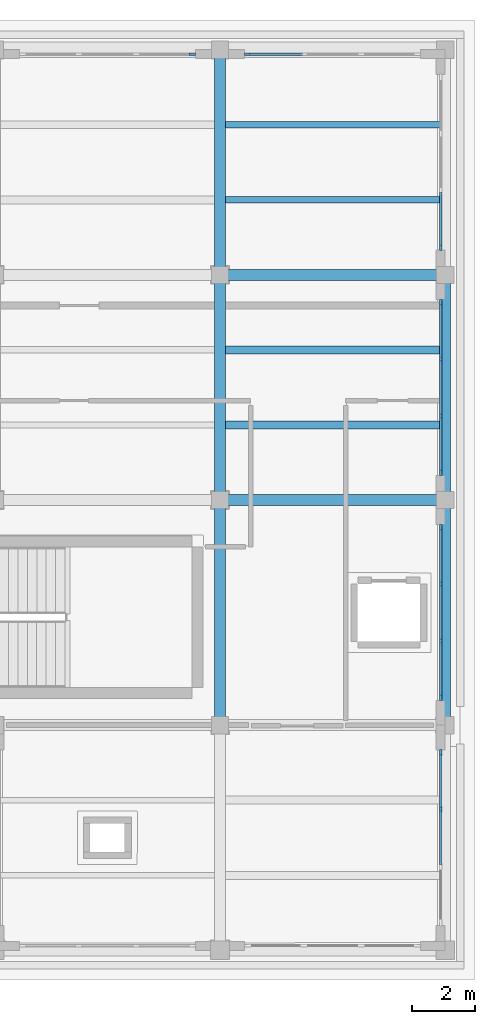
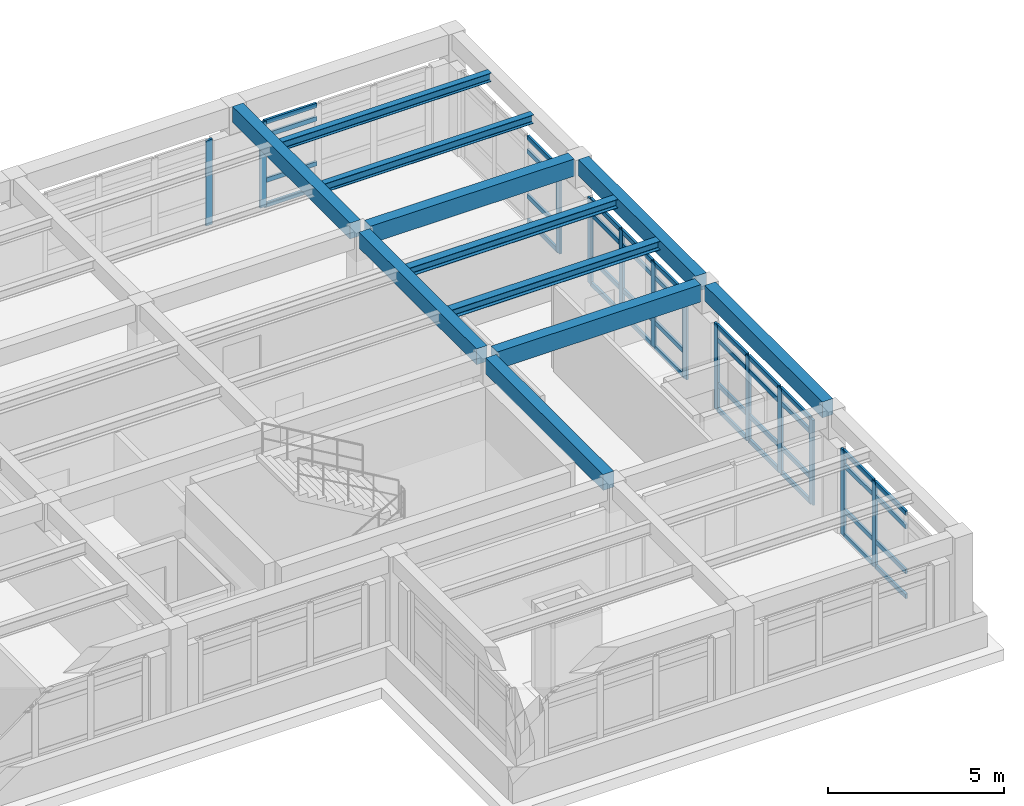
# One storey, part 9 of 21: 53 members, 11 beams, 6 elements without a shape of their own.
"""IFC4 building model written with IfcOpenShell, lengths in metres."""

from ifc_helpers import new_model, si_unit, direction, frame, origin, origin_2d, place, context, subcontext, project, spatial, rectangle, i_section, extrude, material, layer, layer_set, material_profile, profile_set, type_object, element, aggregate, save


model = new_model("IFC4")

# Units and contexts
model_context = context("Model", 3, precision=1e-05, world=origin(), true_north=direction((0.0, 1.0)))
body_context = subcontext(model_context, "Body", "Model", "MODEL_VIEW")
ifc_project = project(units=[si_unit("LENGTHUNIT", "METRE"), si_unit("AREAUNIT", "SQUARE_METRE"), si_unit("VOLUMEUNIT", "CUBIC_METRE"), si_unit("PLANEANGLEUNIT", "RADIAN"), si_unit("MASSUNIT", "GRAM", prefix="KILO")], contexts=[model_context])

# Site, building, storey
site_placement = place(None, origin())
site = spatial("IfcSite", under=ifc_project, at=site_placement, CompositionType="ELEMENT")
building_placement = place(site_placement, origin())
building = spatial("IfcBuilding", under=site, at=building_placement, Name="Solenvale Faculty of Natural Sciences", CompositionType="ELEMENT")
storey_placement = place(building_placement, frame((0.0, 0.0, 31.199951171875)))
storey = spatial("IfcBuildingStorey", under=building, at=storey_placement, Name="L07", CompositionType="ELEMENT", Elevation=31.199951171875)

# Beams
ifc_material_1 = material(Name="Concrete 40 MPa", Category="concrete")
ifc_material_profile_1 = material_profile(ifc_material_1, rectangle(XDim=0.35009765625, YDim=0.550048828125, at=origin_2d()), Name="RC-BM-350x550")
ifc_profile_set_1 = profile_set([ifc_material_profile_1], Name="Concrete 40 MPa")
beam_type_1 = type_object("IfcBeamType", Name="BM-RC-350x550", PredefinedType="BEAM", material=ifc_profile_set_1)
beam_1_placement = place(storey_placement, frame((144.0, 93.85498046875, 3.64501953125), z_axis=(0.0, 1.0, 0.0), x_axis=(-1.0, 0.0, 0.0)))
element("IfcBeam", 1, at=beam_1_placement, inside=storey, type_object=beam_type_1, Name="L07 Y-Girder X144.0 (93.6..100.8)", PredefinedType="BEAM", context=body_context, shape_type="SweptSolid", body=[
    extrude(rectangle(XDim=0.35009765625, YDim=0.550048828125, at=origin_2d()), origin(), (0.0, 0.0, 1.0), 6.68994140625),
])
for number, where, z_axis, x_axis, name in (
    (2, (144.0, 101.054931640625, 3.64501953125), (0.0, 1.0, 0.0), (-1.0, 0.0, 0.0), "L07 Y-Girder X144.0 (100.8..108.0)"),
    (3, (144.0, 108.2548828125, 3.64501953125), (0.0, 1.0, 0.0), (-1.0, 0.0, 0.0), "L07 Y-Girder X144.0 (108.0..115.2)"),
):
    element("IfcBeam", number, at=place(storey_placement, frame(where, z_axis=z_axis, x_axis=x_axis)), inside=storey, type_object=beam_type_1, Name=name, PredefinedType="BEAM", context=body_context, shape_type="SweptSolid", body=[
        extrude(rectangle(XDim=0.35009765625, YDim=0.550048828125, at=origin_2d()), origin(), (0.0, 0.0, 1.0), 6.690185546875),
    ])
beam_2_placement = place(storey_placement, frame((151.199951171875, 93.85498046875, 3.64501953125), z_axis=(0.0, 1.0, 0.0), x_axis=(-1.0, 0.0, 0.0)))
element("IfcBeam", 4, at=beam_2_placement, inside=storey, type_object=beam_type_1, Name="L07 Y-Girder X151.2 (93.6..100.8)", PredefinedType="BEAM", context=body_context, shape_type="SweptSolid", body=[
    extrude(rectangle(XDim=0.35009765625, YDim=0.550048828125, at=origin_2d()), origin(), (0.0, 0.0, 1.0), 6.68994140625),
])
beam_3_placement = place(storey_placement, frame((151.199951171875, 101.054931640625, 3.64501953125), z_axis=(0.0, 1.0, 0.0), x_axis=(-1.0, 0.0, 0.0)))
element("IfcBeam", 5, at=beam_3_placement, inside=storey, type_object=beam_type_1, Name="L07 Y-Girder X151.2 (100.8..108.0)", PredefinedType="BEAM", context=body_context, shape_type="SweptSolid", body=[
    extrude(rectangle(XDim=0.35009765625, YDim=0.550048828125, at=origin_2d()), origin(), (0.0, 0.0, 1.0), 6.690185546875),
])
ifc_material_profile_2 = material_profile(ifc_material_1, rectangle(XDim=0.35009765625, YDim=0.60009765625, at=origin_2d()), Name="RC-BM-350x600")
ifc_profile_set_2 = profile_set([ifc_material_profile_2], Name="Concrete 40 MPa")
beam_type_2 = type_object("IfcBeamType", Name="BM-RC-350x600", PredefinedType="BEAM", material=ifc_profile_set_2)
for number, where, z_axis, x_axis, name in (
    (6, (144.2548828125, 100.800048828125, 3.6201171875), (1.0, 0.0, 0.0), (0.0, 1.0, 0.0), "L07 X-Girder Y100.8 (144.0..151.2)"),
    (7, (144.2548828125, 108.0, 3.6201171875), (1.0, 0.0, 0.0), (0.0, 1.0, 0.0), "L07 X-Girder Y108.0 (144.0..151.2)"),
):
    element("IfcBeam", number, at=place(storey_placement, frame(where, z_axis=z_axis, x_axis=x_axis)), inside=storey, type_object=beam_type_2, Name=name, PredefinedType="BEAM", context=body_context, shape_type="SweptSolid", body=[
        extrude(rectangle(XDim=0.35009765625, YDim=0.60009765625, at=origin_2d()), origin(), (0.0, 0.0, 1.0), 6.690185546875),
    ])
ifc_material_2 = material(Name="Steel S355", Category="steel")
ifc_material_profile_3 = material_profile(ifc_material_2, i_section(OverallWidth=0.202880859375, OverallDepth=0.302978515625, WebThickness=0.007568359375, FlangeThickness=0.01318359375, FilletRadius=0.014892578125, at=origin_2d()), Name="W310x60")
ifc_profile_set_3 = profile_set([ifc_material_profile_3], Name="Steel S355")
beam_type_3 = type_object("IfcBeamType", Name="BM-STL-W310x60", PredefinedType="JOIST", material=ifc_profile_set_3)
for number, where, z_axis, x_axis, name in (
    (8, (144.155029296875, 110.39990234375, 3.7685546875), (1.0, 0.0, 0.0), (0.0, 1.0, 0.0), "L07 Composite Floor Joist (21,16).1"),
    (9, (144.155029296875, 112.800048828125, 3.7685546875), (1.0, 0.0, 0.0), (0.0, 1.0, 0.0), "L07 Composite Floor Joist (21,16).2"),
):
    element("IfcBeam", number, at=place(storey_placement, frame(where, z_axis=z_axis, x_axis=x_axis)), inside=storey, type_object=beam_type_3, Name=name, PredefinedType="JOIST", context=body_context, shape_type="SweptSolid", body=[
        extrude(i_section(OverallWidth=0.202880859375, OverallDepth=0.302978515625, WebThickness=0.007568359375, FlangeThickness=0.01318359375, FilletRadius=0.014892578125, at=origin_2d()), origin(), (0.0, 0.0, 1.0), 6.889892578125),
    ])
ifc_material_profile_4 = material_profile(ifc_material_2, i_section(OverallWidth=0.25390625, OverallDepth=0.305908203125, WebThickness=0.0087890625, FlangeThickness=0.0146484375, FilletRadius=0.014892578125, at=origin_2d()), Name="W310x79")
ifc_profile_set_4 = profile_set([ifc_material_profile_4], Name="Steel S355")
beam_type_4 = type_object("IfcBeamType", Name="BM-STL-W310x79", PredefinedType="JOIST", material=ifc_profile_set_4)
for number, where, z_axis, x_axis, name in (
    (10, (144.155029296875, 103.199951171875, 3.76708984375), (1.0, 0.0, 0.0), (0.0, 1.0, 0.0), "L07 Composite Floor Joist (21,15).1"),
    (11, (144.155029296875, 105.60009765625, 3.76708984375), (1.0, 0.0, 0.0), (0.0, 1.0, 0.0), "L07 Composite Floor Joist (21,15).2"),
):
    element("IfcBeam", number, at=place(storey_placement, frame(where, z_axis=z_axis, x_axis=x_axis)), inside=storey, type_object=beam_type_4, Name=name, PredefinedType="JOIST", context=body_context, shape_type="SweptSolid", body=[
        extrude(i_section(OverallWidth=0.25390625, OverallDepth=0.305908203125, WebThickness=0.0087890625, FlangeThickness=0.0146484375, FilletRadius=0.014892578125, at=origin_2d()), origin(), (0.0, 0.0, 1.0), 6.889892578125),
    ])

# Curtain wall, members
ifc_material_3 = material(Name="Anodised bronze aluminium", Category="aluminium")
ifc_layer = layer(ifc_material_3, 0.179931640625)
ifc_layer_set = layer_set([ifc_layer], Name="Anodised bronze aluminium")
curtain_wall_type = type_object("IfcCurtainWallType", Name="CW-TWR-MOD", PredefinedType="USERDEFINED", material=ifc_layer_set)
curtain_wall_1_placement = place(storey_placement, origin())
curtain_wall_1 = element("IfcCurtainWall", 12, at=curtain_wall_1_placement, inside=storey, type_object=curtain_wall_type, Name="L07 Curtain Wall CW-L07-P1-E1-B1", ObjectType="UNITISED CURTAIN WALL", PredefinedType="USERDEFINED")
ifc_material_profile_5 = material_profile(ifc_material_3, rectangle(XDim=0.074951171875, YDim=0.2099609375, at=origin_2d()), Name="ALU-MUL-75x210")
ifc_profile_set_5 = profile_set([ifc_material_profile_5], Name="Anodised bronze aluminium")
member_type_1 = type_object("IfcMemberType", Name="CWM-ALU-75x210", PredefinedType="MULLION", material=ifc_profile_set_5)
member_1_placement = place(storey_placement, frame((151.0576171875, 94.487548828125, 0.0), z_axis=(0.0, 0.0, 1.0), x_axis=(-1.0, 0.0, 0.0)))
member_1 = element("IfcMember", 13, at=member_1_placement, type_object=member_type_1, Name="CW-04 mullion 1", PredefinedType="MULLION", context=body_context, shape_type="SweptSolid", body=[
    extrude(rectangle(XDim=0.074951171875, YDim=0.2099609375, at=origin_2d()), origin(), (0.0, 0.0, 1.0), 2.9599609375),
])
member_2_placement = place(storey_placement, frame((151.0576171875, 96.283447265625, 0.0), z_axis=(0.0, 0.0, 1.0), x_axis=(-1.0, 0.0, 0.0)))
member_2 = element("IfcMember", 14, at=member_2_placement, type_object=member_type_1, Name="CW-04 mullion 2", PredefinedType="MULLION", context=body_context, shape_type="SweptSolid", body=[
    extrude(rectangle(XDim=0.074951171875, YDim=0.2099609375, at=origin_2d()), origin(), (0.0, 0.0, 1.0), 2.9599609375),
])
member_3_placement = place(storey_placement, frame((151.0576171875, 98.11669921875, 0.0), z_axis=(0.0, 0.0, 1.0), x_axis=(-1.0, 0.0, 0.0)))
member_3 = element("IfcMember", 15, at=member_3_placement, type_object=member_type_1, Name="CW-04 mullion 3", PredefinedType="MULLION", context=body_context, shape_type="SweptSolid", body=[
    extrude(rectangle(XDim=0.074951171875, YDim=0.2099609375, at=origin_2d()), origin(), (0.0, 0.0, 1.0), 2.9599609375),
])
member_4_placement = place(storey_placement, frame((151.0576171875, 99.91259765625, 0.0), z_axis=(0.0, 0.0, 1.0), x_axis=(-1.0, 0.0, 0.0)))
member_4 = element("IfcMember", 16, at=member_4_placement, type_object=member_type_1, Name="CW-04 mullion 4", PredefinedType="MULLION", context=body_context, shape_type="SweptSolid", body=[
    extrude(rectangle(XDim=0.074951171875, YDim=0.2099609375, at=origin_2d()), origin(), (0.0, 0.0, 1.0), 2.9599609375),
])

curtain_wall_2_placement = place(storey_placement, origin())
curtain_wall_2 = element("IfcCurtainWall", 17, at=curtain_wall_2_placement, inside=storey, type_object=curtain_wall_type, Name="L07 Curtain Wall CW-L07-P1-E1-B2", ObjectType="UNITISED CURTAIN WALL", PredefinedType="USERDEFINED")
member_5_placement = place(storey_placement, frame((151.0576171875, 101.6875, 0.0), z_axis=(0.0, 0.0, 1.0), x_axis=(-1.0, 0.0, 0.0)))
member_5 = element("IfcMember", 18, at=member_5_placement, type_object=member_type_1, Name="CW-04 mullion 1", PredefinedType="MULLION", context=body_context, shape_type="SweptSolid", body=[
    extrude(rectangle(XDim=0.074951171875, YDim=0.2099609375, at=origin_2d()), origin(), (0.0, 0.0, 1.0), 2.9599609375),
])
member_6_placement = place(storey_placement, frame((151.0576171875, 103.4833984375, 0.0), z_axis=(0.0, 0.0, 1.0), x_axis=(-1.0, 0.0, 0.0)))
member_6 = element("IfcMember", 19, at=member_6_placement, type_object=member_type_1, Name="CW-04 mullion 2", PredefinedType="MULLION", context=body_context, shape_type="SweptSolid", body=[
    extrude(rectangle(XDim=0.074951171875, YDim=0.2099609375, at=origin_2d()), origin(), (0.0, 0.0, 1.0), 2.9599609375),
])
member_7_placement = place(storey_placement, frame((151.0576171875, 105.316650390625, 0.0), z_axis=(0.0, 0.0, 1.0), x_axis=(-1.0, 0.0, 0.0)))
member_7 = element("IfcMember", 20, at=member_7_placement, type_object=member_type_1, Name="CW-04 mullion 3", PredefinedType="MULLION", context=body_context, shape_type="SweptSolid", body=[
    extrude(rectangle(XDim=0.074951171875, YDim=0.2099609375, at=origin_2d()), origin(), (0.0, 0.0, 1.0), 2.9599609375),
])
member_8_placement = place(storey_placement, frame((151.0576171875, 107.112548828125, 0.0), z_axis=(0.0, 0.0, 1.0), x_axis=(-1.0, 0.0, 0.0)))
member_8 = element("IfcMember", 21, at=member_8_placement, type_object=member_type_1, Name="CW-04 mullion 4", PredefinedType="MULLION", context=body_context, shape_type="SweptSolid", body=[
    extrude(rectangle(XDim=0.074951171875, YDim=0.2099609375, at=origin_2d()), origin(), (0.0, 0.0, 1.0), 2.9599609375),
])

# Curtain wall, member
curtain_wall_3_placement = place(storey_placement, origin())
curtain_wall_3 = element("IfcCurtainWall", 22, at=curtain_wall_3_placement, inside=storey, type_object=curtain_wall_type, Name="L07 Curtain Wall CW-L07-P1-E1-B3", ObjectType="UNITISED CURTAIN WALL", PredefinedType="USERDEFINED")
member_9_placement = place(storey_placement, frame((151.0576171875, 108.887451171875, 0.0), z_axis=(0.0, 0.0, 1.0), x_axis=(-1.0, 0.0, 0.0)))
member_9 = element("IfcMember", 23, at=member_9_placement, type_object=member_type_1, Name="CW-04 mullion 1", PredefinedType="MULLION", context=body_context, shape_type="SweptSolid", body=[
    extrude(rectangle(XDim=0.074951171875, YDim=0.2099609375, at=origin_2d()), origin(), (0.0, 0.0, 1.0), 2.9599609375),
])

curtain_wall_4_placement = place(storey_placement, origin())
curtain_wall_4 = element("IfcCurtainWall", 24, at=curtain_wall_4_placement, inside=storey, type_object=curtain_wall_type, Name="L07 Curtain Wall CW-L07-P1-E2-B1", ObjectType="UNITISED CURTAIN WALL", PredefinedType="USERDEFINED")
member_10_placement = place(storey_placement, frame((144.887451171875, 115.0576171875, 0.0), z_axis=(0.0, 0.0, 1.0), x_axis=(0.0, -1.0, 0.0)))
member_10 = element("IfcMember", 25, at=member_10_placement, type_object=member_type_1, Name="CW-04 mullion 4", PredefinedType="MULLION", context=body_context, shape_type="SweptSolid", body=[
    extrude(rectangle(XDim=0.074951171875, YDim=0.2099609375, at=origin_2d()), origin(), (0.0, 0.0, 1.0), 2.9599609375),
])

curtain_wall_5_placement = place(storey_placement, origin())
curtain_wall_5 = element("IfcCurtainWall", 26, at=curtain_wall_5_placement, inside=storey, type_object=curtain_wall_type, Name="L07 Curtain Wall CW-L07-P1-E2-B2", ObjectType="UNITISED CURTAIN WALL", PredefinedType="USERDEFINED")
member_11_placement = place(storey_placement, frame((143.112548828125, 115.0576171875, 0.0), z_axis=(0.0, 0.0, 1.0), x_axis=(0.0, -1.0, 0.0)))
member_11 = element("IfcMember", 27, at=member_11_placement, type_object=member_type_1, Name="CW-04 mullion 1", PredefinedType="MULLION", context=body_context, shape_type="SweptSolid", body=[
    extrude(rectangle(XDim=0.074951171875, YDim=0.2099609375, at=origin_2d()), origin(), (0.0, 0.0, 1.0), 2.9599609375),
])
aggregate(curtain_wall_5, [member_11])

# Curtain wall, members
curtain_wall_6_placement = place(storey_placement, origin())
curtain_wall_6 = element("IfcCurtainWall", 28, at=curtain_wall_6_placement, inside=storey, type_object=curtain_wall_type, Name="L07 Curtain Wall CW-L07-P1-E7-B1", ObjectType="UNITISED CURTAIN WALL", PredefinedType="USERDEFINED")
member_12_placement = place(storey_placement, frame((151.0576171875, 90.916748046875, 0.0), z_axis=(0.0, 0.0, 1.0), x_axis=(-1.0, 0.0, 0.0)))
member_12 = element("IfcMember", 29, at=member_12_placement, type_object=member_type_1, Name="CW-04 mullion 3", PredefinedType="MULLION", context=body_context, shape_type="SweptSolid", body=[
    extrude(rectangle(XDim=0.074951171875, YDim=0.2099609375, at=origin_2d()), origin(), (0.0, 0.0, 1.0), 2.9599609375),
])
member_13_placement = place(storey_placement, frame((151.0576171875, 92.71240234375, 0.0), z_axis=(0.0, 0.0, 1.0), x_axis=(-1.0, 0.0, 0.0)))
member_13 = element("IfcMember", 30, at=member_13_placement, type_object=member_type_1, Name="CW-04 mullion 4", PredefinedType="MULLION", context=body_context, shape_type="SweptSolid", body=[
    extrude(rectangle(XDim=0.074951171875, YDim=0.2099609375, at=origin_2d()), origin(), (0.0, 0.0, 1.0), 2.9599609375),
])

# Member
ifc_material_profile_6 = material_profile(ifc_material_3, rectangle(XDim=0.074951171875, YDim=0.155029296875, at=origin_2d()), Name="ALU-TRN-75x155")
ifc_profile_set_6 = profile_set([ifc_material_profile_6], Name="Anodised bronze aluminium")
member_type_2 = type_object("IfcMemberType", Name="CWT-ALU-75x155", PredefinedType="USERDEFINED", material=ifc_profile_set_6)
member_14_placement = place(storey_placement, frame((151.0576171875, 94.52490234375, 0.03759765625), z_axis=(0.0, 1.0, 0.0), x_axis=(-1.0, 0.0, 0.0)))
member_14 = element("IfcMember", 31, at=member_14_placement, type_object=member_type_2, Name="CW-04 transom 1.1", ObjectType="TRANSOM", PredefinedType="USERDEFINED", context=body_context, shape_type="SweptSolid", body=[
    extrude(rectangle(XDim=0.074951171875, YDim=0.155029296875, at=origin_2d()), origin(), (0.0, 0.0, 1.0), 1.720947265625),
])

member_15_placement = place(storey_placement, frame((151.0576171875, 94.52490234375, 0.900146484375), z_axis=(0.0, 1.0, 0.0), x_axis=(-1.0, 0.0, 0.0)))
member_15 = element("IfcMember", 32, at=member_15_placement, type_object=member_type_2, Name="CW-04 transom 1.2", ObjectType="TRANSOM", PredefinedType="USERDEFINED", context=body_context, shape_type="SweptSolid", body=[
    extrude(rectangle(XDim=0.074951171875, YDim=0.155029296875, at=origin_2d()), origin(), (0.0, 0.0, 1.0), 1.720947265625),
])

member_16_placement = place(storey_placement, frame((151.0576171875, 94.52490234375, 2.4599609375), z_axis=(0.0, 1.0, 0.0), x_axis=(-1.0, 0.0, 0.0)))
member_16 = element("IfcMember", 33, at=member_16_placement, type_object=member_type_2, Name="CW-04 transom 1.3", ObjectType="TRANSOM", PredefinedType="USERDEFINED", context=body_context, shape_type="SweptSolid", body=[
    extrude(rectangle(XDim=0.074951171875, YDim=0.155029296875, at=origin_2d()), origin(), (0.0, 0.0, 1.0), 1.720947265625),
])

member_17_placement = place(storey_placement, frame((151.0576171875, 94.52490234375, 2.922607421875), z_axis=(0.0, 1.0, 0.0), x_axis=(-1.0, 0.0, 0.0)))
member_17 = element("IfcMember", 34, at=member_17_placement, type_object=member_type_2, Name="CW-04 transom 1.4", ObjectType="TRANSOM", PredefinedType="USERDEFINED", context=body_context, shape_type="SweptSolid", body=[
    extrude(rectangle(XDim=0.074951171875, YDim=0.155029296875, at=origin_2d()), origin(), (0.0, 0.0, 1.0), 1.720947265625),
])

member_18_placement = place(storey_placement, frame((151.0576171875, 96.32080078125, 0.03759765625), z_axis=(0.0, 1.0, 0.0), x_axis=(-1.0, 0.0, 0.0)))
member_18 = element("IfcMember", 35, at=member_18_placement, type_object=member_type_2, Name="CW-04 transom 2.1", ObjectType="TRANSOM", PredefinedType="USERDEFINED", context=body_context, shape_type="SweptSolid", body=[
    extrude(rectangle(XDim=0.074951171875, YDim=0.155029296875, at=origin_2d()), origin(), (0.0, 0.0, 1.0), 1.75830078125),
])

member_19_placement = place(storey_placement, frame((151.0576171875, 96.32080078125, 0.900146484375), z_axis=(0.0, 1.0, 0.0), x_axis=(-1.0, 0.0, 0.0)))
member_19 = element("IfcMember", 36, at=member_19_placement, type_object=member_type_2, Name="CW-04 transom 2.2", ObjectType="TRANSOM", PredefinedType="USERDEFINED", context=body_context, shape_type="SweptSolid", body=[
    extrude(rectangle(XDim=0.074951171875, YDim=0.155029296875, at=origin_2d()), origin(), (0.0, 0.0, 1.0), 1.75830078125),
])

member_20_placement = place(storey_placement, frame((151.0576171875, 96.32080078125, 2.4599609375), z_axis=(0.0, 1.0, 0.0), x_axis=(-1.0, 0.0, 0.0)))
member_20 = element("IfcMember", 37, at=member_20_placement, type_object=member_type_2, Name="CW-04 transom 2.3", ObjectType="TRANSOM", PredefinedType="USERDEFINED", context=body_context, shape_type="SweptSolid", body=[
    extrude(rectangle(XDim=0.074951171875, YDim=0.155029296875, at=origin_2d()), origin(), (0.0, 0.0, 1.0), 1.75830078125),
])

member_21_placement = place(storey_placement, frame((151.0576171875, 96.32080078125, 2.922607421875), z_axis=(0.0, 1.0, 0.0), x_axis=(-1.0, 0.0, 0.0)))
member_21 = element("IfcMember", 38, at=member_21_placement, type_object=member_type_2, Name="CW-04 transom 2.4", ObjectType="TRANSOM", PredefinedType="USERDEFINED", context=body_context, shape_type="SweptSolid", body=[
    extrude(rectangle(XDim=0.074951171875, YDim=0.155029296875, at=origin_2d()), origin(), (0.0, 0.0, 1.0), 1.75830078125),
])

member_22_placement = place(storey_placement, frame((151.0576171875, 98.154052734375, 0.03759765625), z_axis=(0.0, 1.0, 0.0), x_axis=(-1.0, 0.0, 0.0)))
member_22 = element("IfcMember", 39, at=member_22_placement, type_object=member_type_2, Name="CW-04 transom 3.1", ObjectType="TRANSOM", PredefinedType="USERDEFINED", context=body_context, shape_type="SweptSolid", body=[
    extrude(rectangle(XDim=0.074951171875, YDim=0.155029296875, at=origin_2d()), origin(), (0.0, 0.0, 1.0), 1.720947265625),
])

member_23_placement = place(storey_placement, frame((151.0576171875, 98.154052734375, 0.900146484375), z_axis=(0.0, 1.0, 0.0), x_axis=(-1.0, 0.0, 0.0)))
member_23 = element("IfcMember", 40, at=member_23_placement, type_object=member_type_2, Name="CW-04 transom 3.2", ObjectType="TRANSOM", PredefinedType="USERDEFINED", context=body_context, shape_type="SweptSolid", body=[
    extrude(rectangle(XDim=0.074951171875, YDim=0.155029296875, at=origin_2d()), origin(), (0.0, 0.0, 1.0), 1.720947265625),
])

member_24_placement = place(storey_placement, frame((151.0576171875, 98.154052734375, 2.4599609375), z_axis=(0.0, 1.0, 0.0), x_axis=(-1.0, 0.0, 0.0)))
member_24 = element("IfcMember", 41, at=member_24_placement, type_object=member_type_2, Name="CW-04 transom 3.3", ObjectType="TRANSOM", PredefinedType="USERDEFINED", context=body_context, shape_type="SweptSolid", body=[
    extrude(rectangle(XDim=0.074951171875, YDim=0.155029296875, at=origin_2d()), origin(), (0.0, 0.0, 1.0), 1.720947265625),
])

member_25_placement = place(storey_placement, frame((151.0576171875, 98.154052734375, 2.922607421875), z_axis=(0.0, 1.0, 0.0), x_axis=(-1.0, 0.0, 0.0)))
member_25 = element("IfcMember", 42, at=member_25_placement, type_object=member_type_2, Name="CW-04 transom 3.4", ObjectType="TRANSOM", PredefinedType="USERDEFINED", context=body_context, shape_type="SweptSolid", body=[
    extrude(rectangle(XDim=0.074951171875, YDim=0.155029296875, at=origin_2d()), origin(), (0.0, 0.0, 1.0), 1.720947265625),
])

aggregate(curtain_wall_1, [member_1, member_2, member_3, member_4, member_14, member_15, member_16, member_17, member_18, member_19, member_20, member_21, member_22, member_23, member_24, member_25])

member_26_placement = place(storey_placement, frame((151.0576171875, 101.72509765625, 0.03759765625), z_axis=(0.0, 1.0, 0.0), x_axis=(-1.0, 0.0, 0.0)))
member_26 = element("IfcMember", 43, at=member_26_placement, type_object=member_type_2, Name="CW-04 transom 1.1", ObjectType="TRANSOM", PredefinedType="USERDEFINED", context=body_context, shape_type="SweptSolid", body=[
    extrude(rectangle(XDim=0.074951171875, YDim=0.155029296875, at=origin_2d()), origin(), (0.0, 0.0, 1.0), 1.720703125),
])

member_27_placement = place(storey_placement, frame((151.0576171875, 101.72509765625, 0.900146484375), z_axis=(0.0, 1.0, 0.0), x_axis=(-1.0, 0.0, 0.0)))
member_27 = element("IfcMember", 44, at=member_27_placement, type_object=member_type_2, Name="CW-04 transom 1.2", ObjectType="TRANSOM", PredefinedType="USERDEFINED", context=body_context, shape_type="SweptSolid", body=[
    extrude(rectangle(XDim=0.074951171875, YDim=0.155029296875, at=origin_2d()), origin(), (0.0, 0.0, 1.0), 1.720703125),
])

member_28_placement = place(storey_placement, frame((151.0576171875, 101.72509765625, 2.4599609375), z_axis=(0.0, 1.0, 0.0), x_axis=(-1.0, 0.0, 0.0)))
member_28 = element("IfcMember", 45, at=member_28_placement, type_object=member_type_2, Name="CW-04 transom 1.3", ObjectType="TRANSOM", PredefinedType="USERDEFINED", context=body_context, shape_type="SweptSolid", body=[
    extrude(rectangle(XDim=0.074951171875, YDim=0.155029296875, at=origin_2d()), origin(), (0.0, 0.0, 1.0), 1.720703125),
])

member_29_placement = place(storey_placement, frame((151.0576171875, 101.72509765625, 2.922607421875), z_axis=(0.0, 1.0, 0.0), x_axis=(-1.0, 0.0, 0.0)))
member_29 = element("IfcMember", 46, at=member_29_placement, type_object=member_type_2, Name="CW-04 transom 1.4", ObjectType="TRANSOM", PredefinedType="USERDEFINED", context=body_context, shape_type="SweptSolid", body=[
    extrude(rectangle(XDim=0.074951171875, YDim=0.155029296875, at=origin_2d()), origin(), (0.0, 0.0, 1.0), 1.720703125),
])

member_30_placement = place(storey_placement, frame((151.0576171875, 103.520751953125, 0.03759765625), z_axis=(0.0, 1.0, 0.0), x_axis=(-1.0, 0.0, 0.0)))
member_30 = element("IfcMember", 47, at=member_30_placement, type_object=member_type_2, Name="CW-04 transom 2.1", ObjectType="TRANSOM", PredefinedType="USERDEFINED", context=body_context, shape_type="SweptSolid", body=[
    extrude(rectangle(XDim=0.074951171875, YDim=0.155029296875, at=origin_2d()), origin(), (0.0, 0.0, 1.0), 1.75830078125),
])

member_31_placement = place(storey_placement, frame((151.0576171875, 103.520751953125, 0.900146484375), z_axis=(0.0, 1.0, 0.0), x_axis=(-1.0, 0.0, 0.0)))
member_31 = element("IfcMember", 48, at=member_31_placement, type_object=member_type_2, Name="CW-04 transom 2.2", ObjectType="TRANSOM", PredefinedType="USERDEFINED", context=body_context, shape_type="SweptSolid", body=[
    extrude(rectangle(XDim=0.074951171875, YDim=0.155029296875, at=origin_2d()), origin(), (0.0, 0.0, 1.0), 1.75830078125),
])

member_32_placement = place(storey_placement, frame((151.0576171875, 103.520751953125, 2.4599609375), z_axis=(0.0, 1.0, 0.0), x_axis=(-1.0, 0.0, 0.0)))
member_32 = element("IfcMember", 49, at=member_32_placement, type_object=member_type_2, Name="CW-04 transom 2.3", ObjectType="TRANSOM", PredefinedType="USERDEFINED", context=body_context, shape_type="SweptSolid", body=[
    extrude(rectangle(XDim=0.074951171875, YDim=0.155029296875, at=origin_2d()), origin(), (0.0, 0.0, 1.0), 1.75830078125),
])

member_33_placement = place(storey_placement, frame((151.0576171875, 103.520751953125, 2.922607421875), z_axis=(0.0, 1.0, 0.0), x_axis=(-1.0, 0.0, 0.0)))
member_33 = element("IfcMember", 50, at=member_33_placement, type_object=member_type_2, Name="CW-04 transom 2.4", ObjectType="TRANSOM", PredefinedType="USERDEFINED", context=body_context, shape_type="SweptSolid", body=[
    extrude(rectangle(XDim=0.074951171875, YDim=0.155029296875, at=origin_2d()), origin(), (0.0, 0.0, 1.0), 1.75830078125),
])

member_34_placement = place(storey_placement, frame((151.0576171875, 105.354248046875, 0.03759765625), z_axis=(0.0, 1.0, 0.0), x_axis=(-1.0, 0.0, 0.0)))
member_34 = element("IfcMember", 51, at=member_34_placement, type_object=member_type_2, Name="CW-04 transom 3.1", ObjectType="TRANSOM", PredefinedType="USERDEFINED", context=body_context, shape_type="SweptSolid", body=[
    extrude(rectangle(XDim=0.074951171875, YDim=0.155029296875, at=origin_2d()), origin(), (0.0, 0.0, 1.0), 1.720703125),
])

member_35_placement = place(storey_placement, frame((151.0576171875, 105.354248046875, 0.900146484375), z_axis=(0.0, 1.0, 0.0), x_axis=(-1.0, 0.0, 0.0)))
member_35 = element("IfcMember", 52, at=member_35_placement, type_object=member_type_2, Name="CW-04 transom 3.2", ObjectType="TRANSOM", PredefinedType="USERDEFINED", context=body_context, shape_type="SweptSolid", body=[
    extrude(rectangle(XDim=0.074951171875, YDim=0.155029296875, at=origin_2d()), origin(), (0.0, 0.0, 1.0), 1.720703125),
])

member_36_placement = place(storey_placement, frame((151.0576171875, 105.354248046875, 2.4599609375), z_axis=(0.0, 1.0, 0.0), x_axis=(-1.0, 0.0, 0.0)))
member_36 = element("IfcMember", 53, at=member_36_placement, type_object=member_type_2, Name="CW-04 transom 3.3", ObjectType="TRANSOM", PredefinedType="USERDEFINED", context=body_context, shape_type="SweptSolid", body=[
    extrude(rectangle(XDim=0.074951171875, YDim=0.155029296875, at=origin_2d()), origin(), (0.0, 0.0, 1.0), 1.720703125),
])

member_37_placement = place(storey_placement, frame((151.0576171875, 105.354248046875, 2.922607421875), z_axis=(0.0, 1.0, 0.0), x_axis=(-1.0, 0.0, 0.0)))
member_37 = element("IfcMember", 54, at=member_37_placement, type_object=member_type_2, Name="CW-04 transom 3.4", ObjectType="TRANSOM", PredefinedType="USERDEFINED", context=body_context, shape_type="SweptSolid", body=[
    extrude(rectangle(XDim=0.074951171875, YDim=0.155029296875, at=origin_2d()), origin(), (0.0, 0.0, 1.0), 1.720703125),
])

aggregate(curtain_wall_2, [member_5, member_6, member_7, member_8, member_26, member_27, member_28, member_29, member_30, member_31, member_32, member_33, member_34, member_35, member_36, member_37])

member_38_placement = place(storey_placement, frame((151.0576171875, 108.925048828125, 0.03759765625), z_axis=(0.0, 1.0, 0.0), x_axis=(-1.0, 0.0, 0.0)))
member_38 = element("IfcMember", 55, at=member_38_placement, type_object=member_type_2, Name="CW-04 transom 1.1", ObjectType="TRANSOM", PredefinedType="USERDEFINED", context=body_context, shape_type="SweptSolid", body=[
    extrude(rectangle(XDim=0.074951171875, YDim=0.155029296875, at=origin_2d()), origin(), (0.0, 0.0, 1.0), 1.720703125),
])

member_39_placement = place(storey_placement, frame((151.0576171875, 108.925048828125, 0.900146484375), z_axis=(0.0, 1.0, 0.0), x_axis=(-1.0, 0.0, 0.0)))
member_39 = element("IfcMember", 56, at=member_39_placement, type_object=member_type_2, Name="CW-04 transom 1.2", ObjectType="TRANSOM", PredefinedType="USERDEFINED", context=body_context, shape_type="SweptSolid", body=[
    extrude(rectangle(XDim=0.074951171875, YDim=0.155029296875, at=origin_2d()), origin(), (0.0, 0.0, 1.0), 1.720703125),
])

member_40_placement = place(storey_placement, frame((151.0576171875, 108.925048828125, 2.4599609375), z_axis=(0.0, 1.0, 0.0), x_axis=(-1.0, 0.0, 0.0)))
member_40 = element("IfcMember", 57, at=member_40_placement, type_object=member_type_2, Name="CW-04 transom 1.3", ObjectType="TRANSOM", PredefinedType="USERDEFINED", context=body_context, shape_type="SweptSolid", body=[
    extrude(rectangle(XDim=0.074951171875, YDim=0.155029296875, at=origin_2d()), origin(), (0.0, 0.0, 1.0), 1.720703125),
])

member_41_placement = place(storey_placement, frame((151.0576171875, 108.925048828125, 2.922607421875), z_axis=(0.0, 1.0, 0.0), x_axis=(-1.0, 0.0, 0.0)))
member_41 = element("IfcMember", 58, at=member_41_placement, type_object=member_type_2, Name="CW-04 transom 1.4", ObjectType="TRANSOM", PredefinedType="USERDEFINED", context=body_context, shape_type="SweptSolid", body=[
    extrude(rectangle(XDim=0.074951171875, YDim=0.155029296875, at=origin_2d()), origin(), (0.0, 0.0, 1.0), 1.720703125),
])

aggregate(curtain_wall_3, [member_9, member_38, member_39, member_40, member_41])

member_42_placement = place(storey_placement, frame((146.645751953125, 115.0576171875, 0.03759765625), z_axis=(-1.0, 0.0, 0.0), x_axis=(0.0, -1.0, 0.0)))
member_42 = element("IfcMember", 59, at=member_42_placement, type_object=member_type_2, Name="CW-04 transom 3.1", ObjectType="TRANSOM", PredefinedType="USERDEFINED", context=body_context, shape_type="SweptSolid", body=[
    extrude(rectangle(XDim=0.074951171875, YDim=0.155029296875, at=origin_2d()), origin(), (0.0, 0.0, 1.0), 1.720703125),
])

member_43_placement = place(storey_placement, frame((146.645751953125, 115.0576171875, 0.900146484375), z_axis=(-1.0, 0.0, 0.0), x_axis=(0.0, -1.0, 0.0)))
member_43 = element("IfcMember", 60, at=member_43_placement, type_object=member_type_2, Name="CW-04 transom 3.2", ObjectType="TRANSOM", PredefinedType="USERDEFINED", context=body_context, shape_type="SweptSolid", body=[
    extrude(rectangle(XDim=0.074951171875, YDim=0.155029296875, at=origin_2d()), origin(), (0.0, 0.0, 1.0), 1.720703125),
])

member_44_placement = place(storey_placement, frame((146.645751953125, 115.0576171875, 2.4599609375), z_axis=(-1.0, 0.0, 0.0), x_axis=(0.0, -1.0, 0.0)))
member_44 = element("IfcMember", 61, at=member_44_placement, type_object=member_type_2, Name="CW-04 transom 3.3", ObjectType="TRANSOM", PredefinedType="USERDEFINED", context=body_context, shape_type="SweptSolid", body=[
    extrude(rectangle(XDim=0.074951171875, YDim=0.155029296875, at=origin_2d()), origin(), (0.0, 0.0, 1.0), 1.720703125),
])

member_45_placement = place(storey_placement, frame((146.645751953125, 115.0576171875, 2.922607421875), z_axis=(-1.0, 0.0, 0.0), x_axis=(0.0, -1.0, 0.0)))
member_45 = element("IfcMember", 62, at=member_45_placement, type_object=member_type_2, Name="CW-04 transom 3.4", ObjectType="TRANSOM", PredefinedType="USERDEFINED", context=body_context, shape_type="SweptSolid", body=[
    extrude(rectangle(XDim=0.074951171875, YDim=0.155029296875, at=origin_2d()), origin(), (0.0, 0.0, 1.0), 1.720703125),
])

aggregate(curtain_wall_4, [member_10, member_42, member_43, member_44, member_45])

member_46_placement = place(storey_placement, frame((151.0576171875, 89.120849609375, 0.03759765625), z_axis=(0.0, 1.0, 0.0), x_axis=(-1.0, 0.0, 0.0)))
member_46 = element("IfcMember", 63, at=member_46_placement, type_object=member_type_2, Name="CW-04 transom 2.1", ObjectType="TRANSOM", PredefinedType="USERDEFINED", context=body_context, shape_type="SweptSolid", body=[
    extrude(rectangle(XDim=0.074951171875, YDim=0.155029296875, at=origin_2d()), origin(), (0.0, 0.0, 1.0), 1.75830078125),
])

member_47_placement = place(storey_placement, frame((151.0576171875, 89.120849609375, 0.900146484375), z_axis=(0.0, 1.0, 0.0), x_axis=(-1.0, 0.0, 0.0)))
member_47 = element("IfcMember", 64, at=member_47_placement, type_object=member_type_2, Name="CW-04 transom 2.2", ObjectType="TRANSOM", PredefinedType="USERDEFINED", context=body_context, shape_type="SweptSolid", body=[
    extrude(rectangle(XDim=0.074951171875, YDim=0.155029296875, at=origin_2d()), origin(), (0.0, 0.0, 1.0), 1.75830078125),
])

member_48_placement = place(storey_placement, frame((151.0576171875, 89.120849609375, 2.4599609375), z_axis=(0.0, 1.0, 0.0), x_axis=(-1.0, 0.0, 0.0)))
member_48 = element("IfcMember", 65, at=member_48_placement, type_object=member_type_2, Name="CW-04 transom 2.3", ObjectType="TRANSOM", PredefinedType="USERDEFINED", context=body_context, shape_type="SweptSolid", body=[
    extrude(rectangle(XDim=0.074951171875, YDim=0.155029296875, at=origin_2d()), origin(), (0.0, 0.0, 1.0), 1.75830078125),
])

member_49_placement = place(storey_placement, frame((151.0576171875, 89.120849609375, 2.922607421875), z_axis=(0.0, 1.0, 0.0), x_axis=(-1.0, 0.0, 0.0)))
member_49 = element("IfcMember", 66, at=member_49_placement, type_object=member_type_2, Name="CW-04 transom 2.4", ObjectType="TRANSOM", PredefinedType="USERDEFINED", context=body_context, shape_type="SweptSolid", body=[
    extrude(rectangle(XDim=0.074951171875, YDim=0.155029296875, at=origin_2d()), origin(), (0.0, 0.0, 1.0), 1.75830078125),
])

member_50_placement = place(storey_placement, frame((151.0576171875, 90.9541015625, 0.03759765625), z_axis=(0.0, 1.0, 0.0), x_axis=(-1.0, 0.0, 0.0)))
member_50 = element("IfcMember", 67, at=member_50_placement, type_object=member_type_2, Name="CW-04 transom 3.1", ObjectType="TRANSOM", PredefinedType="USERDEFINED", context=body_context, shape_type="SweptSolid", body=[
    extrude(rectangle(XDim=0.074951171875, YDim=0.155029296875, at=origin_2d()), origin(), (0.0, 0.0, 1.0), 1.720947265625),
])

member_51_placement = place(storey_placement, frame((151.0576171875, 90.9541015625, 0.900146484375), z_axis=(0.0, 1.0, 0.0), x_axis=(-1.0, 0.0, 0.0)))
member_51 = element("IfcMember", 68, at=member_51_placement, type_object=member_type_2, Name="CW-04 transom 3.2", ObjectType="TRANSOM", PredefinedType="USERDEFINED", context=body_context, shape_type="SweptSolid", body=[
    extrude(rectangle(XDim=0.074951171875, YDim=0.155029296875, at=origin_2d()), origin(), (0.0, 0.0, 1.0), 1.720947265625),
])

member_52_placement = place(storey_placement, frame((151.0576171875, 90.9541015625, 2.4599609375), z_axis=(0.0, 1.0, 0.0), x_axis=(-1.0, 0.0, 0.0)))
member_52 = element("IfcMember", 69, at=member_52_placement, type_object=member_type_2, Name="CW-04 transom 3.3", ObjectType="TRANSOM", PredefinedType="USERDEFINED", context=body_context, shape_type="SweptSolid", body=[
    extrude(rectangle(XDim=0.074951171875, YDim=0.155029296875, at=origin_2d()), origin(), (0.0, 0.0, 1.0), 1.720947265625),
])

member_53_placement = place(storey_placement, frame((151.0576171875, 90.9541015625, 2.922607421875), z_axis=(0.0, 1.0, 0.0), x_axis=(-1.0, 0.0, 0.0)))
member_53 = element("IfcMember", 70, at=member_53_placement, type_object=member_type_2, Name="CW-04 transom 3.4", ObjectType="TRANSOM", PredefinedType="USERDEFINED", context=body_context, shape_type="SweptSolid", body=[
    extrude(rectangle(XDim=0.074951171875, YDim=0.155029296875, at=origin_2d()), origin(), (0.0, 0.0, 1.0), 1.720947265625),
])

aggregate(curtain_wall_6, [member_12, member_13, member_46, member_47, member_48, member_49, member_50, member_51, member_52, member_53])

save(model, "model.ifc")
